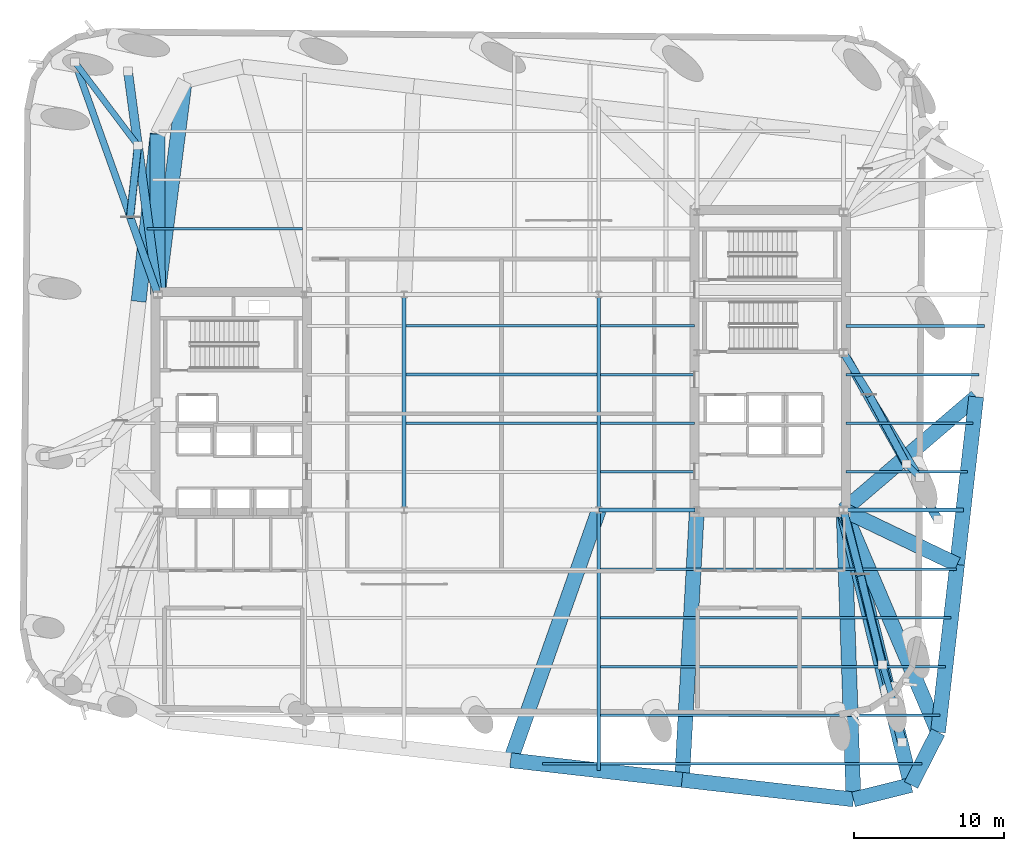
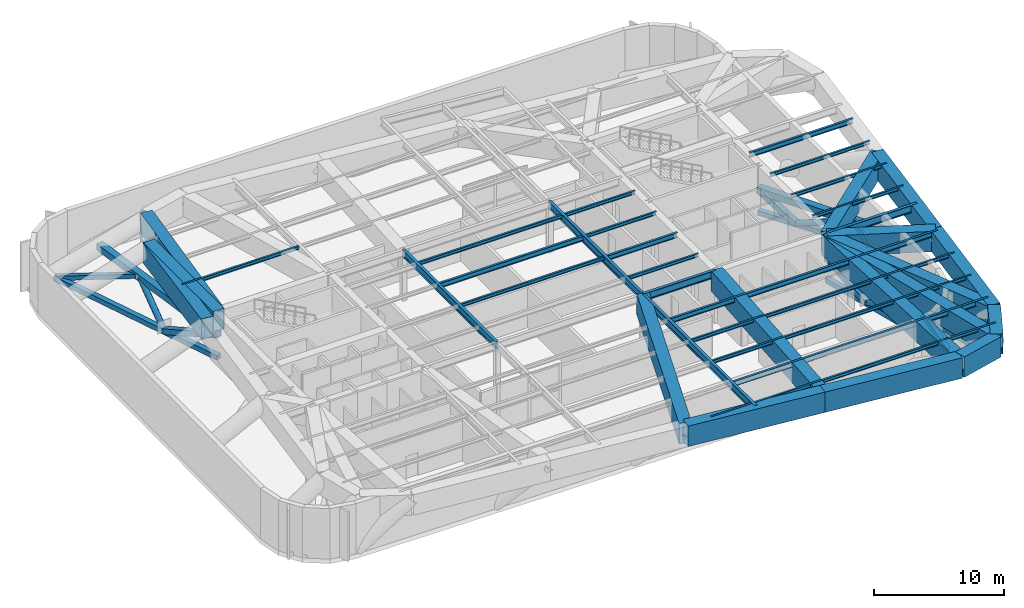
# One storey, part 4 of 13: 39 beams, 15 members.
"""IFC4 building model written with IfcOpenShell, lengths in metres."""

from ifc_helpers import new_model, si_unit, direction, frame, origin, origin_2d, place, context, subcontext, project, spatial, hollow_rectangle, hollow_circle, i_section, extrude, material, material_profile, profile_set, type_object, element, save


model = new_model("IFC4")

# Units and contexts
model_context = context("Model", 3, precision=1e-05, world=origin(), true_north=direction((0.0, 1.0)))
body_context = subcontext(model_context, "Body", "Model", "MODEL_VIEW")
ifc_project = project(units=[si_unit("LENGTHUNIT", "METRE"), si_unit("AREAUNIT", "SQUARE_METRE"), si_unit("VOLUMEUNIT", "CUBIC_METRE"), si_unit("PLANEANGLEUNIT", "RADIAN"), si_unit("MASSUNIT", "GRAM", prefix="KILO")], contexts=[model_context])

# Site, building, storey
site_placement = place(None, origin())
site = spatial("IfcSite", under=ifc_project, at=site_placement, CompositionType="ELEMENT")
building_placement = place(site_placement, origin())
building = spatial("IfcBuilding", under=site, at=building_placement, Name="Kolvaren Arena Tower", CompositionType="ELEMENT")
storey_placement = place(building_placement, frame((0.0, 0.0, 210.949951171875)))
storey = spatial("IfcBuildingStorey", under=building, at=storey_placement, Name="L51", CompositionType="ELEMENT", Elevation=210.949951171875)

# Beams
ifc_material_1 = material(Name="Steel CSA G40.21 350W", Category="steel")
ifc_material_profile_1 = material_profile(ifc_material_1, i_section(OverallWidth=0.193115234375, OverallDepth=0.462890625, WebThickness=0.0107421875, FlangeThickness=0.0205078125, FilletRadius=0.012939453125, at=origin_2d()), Name="W460x113")
ifc_profile_set_1 = profile_set([ifc_material_profile_1], Name="Steel CSA G40.21 350W")
beam_type_1 = type_object("IfcBeamType", Name="BEAM-F2", PredefinedType="BEAM", material=ifc_profile_set_1)
beam_1_placement = place(storey_placement, frame((44.12744140625, 5.75, 4.5185546875), z_axis=(1.0, 0.0, 0.0), x_axis=(0.0, 1.0, 0.0)))
element("IfcBeam", 1, at=beam_1_placement, inside=storey, type_object=beam_type_1, Name="Composite Floor Beam (L51)", PredefinedType="BEAM", context=body_context, shape_type="SweptSolid", body=[
    extrude(i_section(OverallWidth=0.193115234375, OverallDepth=0.462890625, WebThickness=0.0107421875, FlangeThickness=0.0205078125, FilletRadius=0.012939453125, at=origin_2d()), origin(), (0.0, 0.0, 1.0), 22.656982421875),
])
beam_2_placement = place(storey_placement, frame((44.12744140625, 15.5, 4.5185546875), z_axis=(1.0, 0.0, 0.0), x_axis=(0.0, 1.0, 0.0)))
element("IfcBeam", 2, at=beam_2_placement, inside=storey, type_object=beam_type_1, Name="Composite Floor Beam (L51)", PredefinedType="BEAM", context=body_context, shape_type="SweptSolid", body=[
    extrude(i_section(OverallWidth=0.193115234375, OverallDepth=0.462890625, WebThickness=0.0107421875, FlangeThickness=0.0205078125, FilletRadius=0.012939453125, at=origin_2d()), origin(), (0.0, 0.0, 1.0), 23.767822265625),
])
beam_3_placement = place(storey_placement, frame((44.12744140625, 25.25, 4.5185546875), z_axis=(1.0, 0.0, 0.0), x_axis=(0.0, 1.0, 0.0)))
element("IfcBeam", 3, at=beam_3_placement, inside=storey, type_object=beam_type_1, Name="Composite Floor Beam (L51)", PredefinedType="BEAM", context=body_context, shape_type="SweptSolid", body=[
    extrude(i_section(OverallWidth=0.193115234375, OverallDepth=0.462890625, WebThickness=0.0107421875, FlangeThickness=0.0205078125, FilletRadius=0.012939453125, at=origin_2d()), origin(), (0.0, 0.0, 1.0), 6.25244140625),
])
beam_4_placement = place(storey_placement, frame((31.12744140625, 28.5, 4.5185546875), z_axis=(1.0, 0.0, 0.0), x_axis=(0.0, 1.0, 0.0)))
element("IfcBeam", 4, at=beam_4_placement, inside=storey, type_object=beam_type_1, Name="Composite Floor Beam (L51)", PredefinedType="BEAM", context=body_context, shape_type="SweptSolid", body=[
    extrude(i_section(OverallWidth=0.193115234375, OverallDepth=0.462890625, WebThickness=0.0107421875, FlangeThickness=0.0205078125, FilletRadius=0.012939453125, at=origin_2d()), origin(), (0.0, 0.0, 1.0), 12.7451171875),
])
beam_5_placement = place(storey_placement, frame((60.52001953125, 31.75, 4.5185546875), z_axis=(1.0, 0.0, 0.0), x_axis=(0.0, 1.0, 0.0)))
element("IfcBeam", 5, at=beam_5_placement, inside=storey, type_object=beam_type_1, Name="Composite Floor Beam (L51)", PredefinedType="BEAM", context=body_context, shape_type="SweptSolid", body=[
    extrude(i_section(OverallWidth=0.193115234375, OverallDepth=0.462890625, WebThickness=0.0107421875, FlangeThickness=0.0205078125, FilletRadius=0.012939453125, at=origin_2d()), origin(), (0.0, 0.0, 1.0), 9.226806640625),
])

# Members
ifc_material_2 = material(Name="Steel CSA G40.21 350WT", Category="steel")
ifc_material_profile_2 = material_profile(ifc_material_2, hollow_rectangle(XDim=0.449951171875, YDim=0.449951171875, WallThickness=0.02001953125, at=origin_2d()), Name="HSS 450x450x20")
ifc_profile_set_2 = profile_set([ifc_material_profile_2], Name="Steel CSA G40.21 350WT")
member_type_1 = type_object("IfcMemberType", Name="BELT-CHORD", PredefinedType="CHORD", material=ifc_profile_set_2)
member_1_placement = place(storey_placement, frame((14.550048828125, 33.85009765625, 0.35009765625), z_axis=(-0.336115032006, 0.941820941188, 0.0), x_axis=(-0.941820941188, -0.336115032006, 0.0)))
element("IfcMember", 6, at=member_1_placement, inside=storey, type_object=member_type_1, Name="Belt Truss Bottom Chord 2 (L51)", PredefinedType="CHORD", context=body_context, shape_type="SweptSolid", body=[
    extrude(hollow_rectangle(XDim=0.449951171875, YDim=0.449951171875, WallThickness=0.02001953125, at=origin_2d()), origin(), (0.0, 0.0, 1.0), 16.489013671875),
])
member_2_placement = place(storey_placement, frame((60.35009765625, 19.449951171875, 0.35009765625), z_axis=(0.251492984423, -0.967859121353, 0.0), x_axis=(0.967859121353, 0.251492984423, 0.0)))
element("IfcMember", 7, at=member_2_placement, inside=storey, type_object=member_type_1, Name="Belt Truss Bottom Chord 3 (L51)", PredefinedType="CHORD", context=body_context, shape_type="SweptSolid", body=[
    extrude(hollow_rectangle(XDim=0.449951171875, YDim=0.449951171875, WallThickness=0.02001953125, at=origin_2d()), origin(), (0.0, 0.0, 1.0), 13.2470703125),
])
member_3_placement = place(storey_placement, frame((60.35009765625, 29.949951171875, 0.35009765625), z_axis=(0.522048954616, -0.852915522771, 0.0), x_axis=(0.852915522771, 0.522048954616, 0.0)))
element("IfcMember", 8, at=member_3_placement, inside=storey, type_object=member_type_1, Name="Belt Truss Bottom Chord 6 (L51)", PredefinedType="CHORD", context=body_context, shape_type="SweptSolid", body=[
    extrude(hollow_rectangle(XDim=0.449951171875, YDim=0.449951171875, WallThickness=0.02001953125, at=origin_2d()), origin(), (0.0, 0.0, 1.0), 9.7421875),
])
ifc_material_profile_3 = material_profile(ifc_material_2, hollow_rectangle(XDim=0.39990234375, YDim=0.39990234375, WallThickness=0.01611328125, at=origin_2d()), Name="HSS 400x400x16")
ifc_profile_set_3 = profile_set([ifc_material_profile_3], Name="Steel CSA G40.21 350WT")
member_type_2 = type_object("IfcMemberType", Name="BELT-DIAG", PredefinedType="BRACE", material=ifc_profile_set_3)
member_4_placement = place(storey_placement, frame((13.223388671875, 43.7919921875, 2.47998046875), z_axis=(-0.576169396156, 0.763732271918, -0.291104523777), x_axis=(-0.798305899014, -0.602252182728, 0.0)))
element("IfcMember", 9, at=member_4_placement, inside=storey, type_object=member_type_2, Name="Belt Truss Warren Diagonal C 2 (L51)", PredefinedType="BRACE", context=body_context, shape_type="SweptSolid", body=[
    extrude(hollow_rectangle(XDim=0.39990234375, YDim=0.39990234375, WallThickness=0.01611328125, at=origin_2d()), origin(), (0.0, 0.0, 1.0), 7.316650390625),
])
member_5_placement = place(storey_placement, frame((62.949462890625, 9.116455078125, 2.47998046875), z_axis=(0.21818078023, -0.741334495013, -0.634681269332), x_axis=(0.959316016839, 0.282334517615, 0.0)))
element("IfcMember", 10, at=member_5_placement, inside=storey, type_object=member_type_2, Name="Belt Truss Warren Diagonal C 3 (L51)", PredefinedType="BRACE", context=body_context, shape_type="SweptSolid", body=[
    extrude(hollow_rectangle(XDim=0.39990234375, YDim=0.39990234375, WallThickness=0.01611328125, at=origin_2d()), origin(), (0.0, 0.0, 1.0), 3.355712890625),
])
member_6_placement = place(storey_placement, frame((64.5458984375, 22.53076171875, 2.47998046875), z_axis=(0.359784476189, -0.359784476189, -0.860877611155), x_axis=(0.707106781187, 0.707106781187, 0.0)))
element("IfcMember", 11, at=member_6_placement, inside=storey, type_object=member_type_2, Name="Belt Truss Warren Diagonal C 6 (L51)", PredefinedType="BRACE", context=body_context, shape_type="SweptSolid", body=[
    extrude(hollow_rectangle(XDim=0.39990234375, YDim=0.39990234375, WallThickness=0.01611328125, at=origin_2d()), origin(), (0.0, 0.0, 1.0), 2.47412109375),
])
ifc_material_profile_4 = material_profile(ifc_material_2, hollow_circle(Radius=0.25390625, WallThickness=0.02490234375, at=origin_2d()), Name="CHS 508x25")
ifc_profile_set_4 = profile_set([ifc_material_profile_4], Name="Steel CSA G40.21 350WT")
member_type_3 = type_object("IfcMemberType", Name="EXO-BRACE1", PredefinedType="BRACE", material=ifc_profile_set_4)
member_7_placement = place(storey_placement, frame((12.70263671875, 39.026611328125, 0.35009765625), z_axis=(0.099273835079, 0.908451001827, 0.406031381728), x_axis=(-0.994082094153, 0.10863144151, 0.0)))
element("IfcMember", 12, at=member_7_placement, inside=storey, type_object=member_type_3, Name="Outrigger Warren Diagonal B 2 (L51)", PredefinedType="BRACE", context=body_context, shape_type="SweptSolid", body=[
    extrude(hollow_circle(Radius=0.25390625, WallThickness=0.02490234375, at=origin_2d()), origin(), (0.0, 0.0, 1.0), 5.24560546875),
])
member_8_placement = place(storey_placement, frame((61.46044921875, 15.17626953125, 0.35009765625), z_axis=(0.225828796995, -0.919051741304, 0.323025155761), x_axis=(0.97111272691, 0.238621188567, 0.0)))
element("IfcMember", 13, at=member_8_placement, inside=storey, type_object=member_type_3, Name="Outrigger Warren Diagonal B 3 (L51)", PredefinedType="BRACE", context=body_context, shape_type="SweptSolid", body=[
    extrude(hollow_circle(Radius=0.25390625, WallThickness=0.02490234375, at=origin_2d()), origin(), (0.0, 0.0, 1.0), 6.593505859375),
])
member_9_placement = place(storey_placement, frame((62.04541015625, 27.18017578125, 0.35009765625), z_axis=(0.439251064754, -0.816744510562, 0.374148241448), x_axis=(0.880711551375, 0.473652998802, 0.0)))
element("IfcMember", 14, at=member_9_placement, inside=storey, type_object=member_type_3, Name="Outrigger Warren Diagonal B 6 (L51)", PredefinedType="BRACE", context=body_context, shape_type="SweptSolid", body=[
    extrude(hollow_circle(Radius=0.25390625, WallThickness=0.02490234375, at=origin_2d()), origin(), (0.0, 0.0, 1.0), 5.692626953125),
])

# Beams
ifc_material_profile_5 = material_profile(ifc_material_1, i_section(OverallWidth=0.2548828125, OverallDepth=0.695068359375, WebThickness=0.01708984375, FlangeThickness=0.02978515625, FilletRadius=0.01611328125, at=origin_2d()), Name="W690x217")
ifc_profile_set_5 = profile_set([ifc_material_profile_5], Name="Steel CSA G40.21 350W")
beam_type_2 = type_object("IfcBeamType", Name="GIRD-T2", PredefinedType="BEAM", material=ifc_profile_set_5)
beam_6_placement = place(storey_placement, frame((44.0, 19.449951171875, 4.402587890625), z_axis=(1.0, 0.0, 0.0), x_axis=(0.0, 1.0, 0.0)))
element("IfcBeam", 15, at=beam_6_placement, inside=storey, type_object=beam_type_2, Name="Primary Floor Girder (L51)", PredefinedType="BEAM", context=body_context, shape_type="SweptSolid", body=[
    extrude(i_section(OverallWidth=0.2548828125, OverallDepth=0.695068359375, WebThickness=0.01708984375, FlangeThickness=0.02978515625, FilletRadius=0.01611328125, at=origin_2d()), origin(), (0.0, 0.0, 1.0), 6.419921875),
])
beam_7_placement = place(storey_placement, frame((60.47998046875, 19.449951171875, 4.402587890625), z_axis=(1.0, 0.0, 0.0), x_axis=(0.0, 1.0, 0.0)))
element("IfcBeam", 16, at=beam_7_placement, inside=storey, type_object=beam_type_2, Name="Primary Floor Girder (L51)", PredefinedType="BEAM", context=body_context, shape_type="SweptSolid", body=[
    extrude(i_section(OverallWidth=0.2548828125, OverallDepth=0.695068359375, WebThickness=0.01708984375, FlangeThickness=0.02978515625, FilletRadius=0.01611328125, at=origin_2d()), origin(), (0.0, 0.0, 1.0), 7.865234375),
])
beam_8_placement = place(storey_placement, frame((31.0, 19.449951171875, 4.402587890625), z_axis=(0.0, 1.0, 0.0), x_axis=(-1.0, 0.0, 0.0)))
element("IfcBeam", 17, at=beam_8_placement, inside=storey, type_object=beam_type_2, Name="Primary Floor Girder (L51)", PredefinedType="BEAM", context=body_context, shape_type="SweptSolid", body=[
    extrude(i_section(OverallWidth=0.2548828125, OverallDepth=0.695068359375, WebThickness=0.01708984375, FlangeThickness=0.02978515625, FilletRadius=0.01611328125, at=origin_2d()), origin(), (0.0, 0.0, 1.0), 14.400146484375),
])
beam_9_placement = place(storey_placement, frame((44.0, 2.0703125, 4.402587890625), z_axis=(0.0, 1.0, 0.0), x_axis=(-1.0, 0.0, 0.0)))
element("IfcBeam", 18, at=beam_9_placement, inside=storey, type_object=beam_type_2, Name="Primary Floor Girder (L51)", PredefinedType="BEAM", context=body_context, shape_type="SweptSolid", body=[
    extrude(i_section(OverallWidth=0.2548828125, OverallDepth=0.695068359375, WebThickness=0.01708984375, FlangeThickness=0.02978515625, FilletRadius=0.01611328125, at=origin_2d()), origin(), (0.0, 0.0, 1.0), 17.379638671875),
])
beam_10_placement = place(storey_placement, frame((44.0, 19.449951171875, 4.402587890625), z_axis=(0.0, 1.0, 0.0), x_axis=(-1.0, 0.0, 0.0)))
element("IfcBeam", 19, at=beam_10_placement, inside=storey, type_object=beam_type_2, Name="Primary Floor Girder (L51)", PredefinedType="BEAM", context=body_context, shape_type="SweptSolid", body=[
    extrude(i_section(OverallWidth=0.2548828125, OverallDepth=0.695068359375, WebThickness=0.01708984375, FlangeThickness=0.02978515625, FilletRadius=0.01611328125, at=origin_2d()), origin(), (0.0, 0.0, 1.0), 14.400146484375),
])
ifc_material_profile_6 = material_profile(ifc_material_1, i_section(OverallWidth=0.1669921875, OverallDepth=0.31689453125, WebThickness=0.007568359375, FlangeThickness=0.01318359375, FilletRadius=0.010009765625, at=origin_2d()), Name="W310x52")
ifc_profile_set_6 = profile_set([ifc_material_profile_6], Name="Steel CSA G40.21 350W")
beam_type_3 = type_object("IfcBeamType", Name="JOIST-02", PredefinedType="JOIST", material=ifc_profile_set_6)
beam_11_placement = place(storey_placement, frame((40.228271484375, 2.5, 4.591552734375), z_axis=(1.0, 0.0, 0.0), x_axis=(0.0, 1.0, 0.0)))
element("IfcBeam", 20, at=beam_11_placement, inside=storey, type_object=beam_type_3, Name="Composite Floor Joist (L51)", PredefinedType="JOIST", context=body_context, shape_type="SweptSolid", body=[
    extrude(i_section(OverallWidth=0.1669921875, OverallDepth=0.31689453125, WebThickness=0.007568359375, FlangeThickness=0.01318359375, FilletRadius=0.010009765625, at=origin_2d()), origin(), (0.0, 0.0, 1.0), 3.644287109375),
])
beam_12_placement = place(storey_placement, frame((44.12744140625, 2.5, 4.591552734375), z_axis=(1.0, 0.0, 0.0), x_axis=(0.0, 1.0, 0.0)))
element("IfcBeam", 21, at=beam_12_placement, inside=storey, type_object=beam_type_3, Name="Composite Floor Joist (L51)", PredefinedType="JOIST", context=body_context, shape_type="SweptSolid", body=[
    extrude(i_section(OverallWidth=0.1669921875, OverallDepth=0.31689453125, WebThickness=0.007568359375, FlangeThickness=0.01318359375, FilletRadius=0.010009765625, at=origin_2d()), origin(), (0.0, 0.0, 1.0), 21.4443359375),
])
beam_13_placement = place(storey_placement, frame((44.12744140625, 9.0, 4.591552734375), z_axis=(1.0, 0.0, 0.0), x_axis=(0.0, 1.0, 0.0)))
element("IfcBeam", 22, at=beam_13_placement, inside=storey, type_object=beam_type_3, Name="Composite Floor Joist (L51)", PredefinedType="JOIST", context=body_context, shape_type="SweptSolid", body=[
    extrude(i_section(OverallWidth=0.1669921875, OverallDepth=0.31689453125, WebThickness=0.007568359375, FlangeThickness=0.01318359375, FilletRadius=0.010009765625, at=origin_2d()), origin(), (0.0, 0.0, 1.0), 23.02734375),
])
beam_14_placement = place(storey_placement, frame((44.12744140625, 12.25, 4.591552734375), z_axis=(1.0, 0.0, 0.0), x_axis=(0.0, 1.0, 0.0)))
element("IfcBeam", 23, at=beam_14_placement, inside=storey, type_object=beam_type_3, Name="Composite Floor Joist (L51)", PredefinedType="JOIST", context=body_context, shape_type="SweptSolid", body=[
    extrude(i_section(OverallWidth=0.1669921875, OverallDepth=0.31689453125, WebThickness=0.007568359375, FlangeThickness=0.01318359375, FilletRadius=0.010009765625, at=origin_2d()), origin(), (0.0, 0.0, 1.0), 23.3974609375),
])
beam_15_placement = place(storey_placement, frame((44.12744140625, 22.0, 4.591552734375), z_axis=(1.0, 0.0, 0.0), x_axis=(0.0, 1.0, 0.0)))
element("IfcBeam", 24, at=beam_15_placement, inside=storey, type_object=beam_type_3, Name="Composite Floor Joist (L51)", PredefinedType="JOIST", context=body_context, shape_type="SweptSolid", body=[
    extrude(i_section(OverallWidth=0.1669921875, OverallDepth=0.31689453125, WebThickness=0.007568359375, FlangeThickness=0.01318359375, FilletRadius=0.010009765625, at=origin_2d()), origin(), (0.0, 0.0, 1.0), 6.25244140625),
])
beam_16_placement = place(storey_placement, frame((60.52001953125, 22.0, 4.591552734375), z_axis=(1.0, 0.0, 0.0), x_axis=(0.0, 1.0, 0.0)))
element("IfcBeam", 25, at=beam_16_placement, inside=storey, type_object=beam_type_3, Name="Composite Floor Joist (L51)", PredefinedType="JOIST", context=body_context, shape_type="SweptSolid", body=[
    extrude(i_section(OverallWidth=0.1669921875, OverallDepth=0.31689453125, WebThickness=0.007568359375, FlangeThickness=0.01318359375, FilletRadius=0.010009765625, at=origin_2d()), origin(), (0.0, 0.0, 1.0), 8.115966796875),
])
beam_17_placement = place(storey_placement, frame((31.12744140625, 25.25, 4.591552734375), z_axis=(1.0, 0.0, 0.0), x_axis=(0.0, 1.0, 0.0)))
element("IfcBeam", 26, at=beam_17_placement, inside=storey, type_object=beam_type_3, Name="Composite Floor Joist (L51)", PredefinedType="JOIST", context=body_context, shape_type="SweptSolid", body=[
    extrude(i_section(OverallWidth=0.1669921875, OverallDepth=0.31689453125, WebThickness=0.007568359375, FlangeThickness=0.01318359375, FilletRadius=0.010009765625, at=origin_2d()), origin(), (0.0, 0.0, 1.0), 12.7451171875),
])
beam_18_placement = place(storey_placement, frame((60.52001953125, 25.25, 4.591552734375), z_axis=(1.0, 0.0, 0.0), x_axis=(0.0, 1.0, 0.0)))
element("IfcBeam", 27, at=beam_18_placement, inside=storey, type_object=beam_type_3, Name="Composite Floor Joist (L51)", PredefinedType="JOIST", context=body_context, shape_type="SweptSolid", body=[
    extrude(i_section(OverallWidth=0.1669921875, OverallDepth=0.31689453125, WebThickness=0.007568359375, FlangeThickness=0.01318359375, FilletRadius=0.010009765625, at=origin_2d()), origin(), (0.0, 0.0, 1.0), 8.486083984375),
])
beam_19_placement = place(storey_placement, frame((44.12744140625, 28.5, 4.591552734375), z_axis=(1.0, 0.0, 0.0), x_axis=(0.0, 1.0, 0.0)))
element("IfcBeam", 28, at=beam_19_placement, inside=storey, type_object=beam_type_3, Name="Composite Floor Joist (L51)", PredefinedType="JOIST", context=body_context, shape_type="SweptSolid", body=[
    extrude(i_section(OverallWidth=0.1669921875, OverallDepth=0.31689453125, WebThickness=0.007568359375, FlangeThickness=0.01318359375, FilletRadius=0.010009765625, at=origin_2d()), origin(), (0.0, 0.0, 1.0), 6.25244140625),
])
beam_20_placement = place(storey_placement, frame((60.52001953125, 28.5, 4.591552734375), z_axis=(1.0, 0.0, 0.0), x_axis=(0.0, 1.0, 0.0)))
element("IfcBeam", 29, at=beam_20_placement, inside=storey, type_object=beam_type_3, Name="Composite Floor Joist (L51)", PredefinedType="JOIST", context=body_context, shape_type="SweptSolid", body=[
    extrude(i_section(OverallWidth=0.1669921875, OverallDepth=0.31689453125, WebThickness=0.007568359375, FlangeThickness=0.01318359375, FilletRadius=0.010009765625, at=origin_2d()), origin(), (0.0, 0.0, 1.0), 8.8564453125),
])
beam_21_placement = place(storey_placement, frame((31.12744140625, 31.75, 4.591552734375), z_axis=(1.0, 0.0, 0.0), x_axis=(0.0, 1.0, 0.0)))
element("IfcBeam", 30, at=beam_21_placement, inside=storey, type_object=beam_type_3, Name="Composite Floor Joist (L51)", PredefinedType="JOIST", context=body_context, shape_type="SweptSolid", body=[
    extrude(i_section(OverallWidth=0.1669921875, OverallDepth=0.31689453125, WebThickness=0.007568359375, FlangeThickness=0.01318359375, FilletRadius=0.010009765625, at=origin_2d()), origin(), (0.0, 0.0, 1.0), 12.7451171875),
])
beam_22_placement = place(storey_placement, frame((44.12744140625, 31.75, 4.591552734375), z_axis=(1.0, 0.0, 0.0), x_axis=(0.0, 1.0, 0.0)))
element("IfcBeam", 31, at=beam_22_placement, inside=storey, type_object=beam_type_3, Name="Composite Floor Joist (L51)", PredefinedType="JOIST", context=body_context, shape_type="SweptSolid", body=[
    extrude(i_section(OverallWidth=0.1669921875, OverallDepth=0.31689453125, WebThickness=0.007568359375, FlangeThickness=0.01318359375, FilletRadius=0.010009765625, at=origin_2d()), origin(), (0.0, 0.0, 1.0), 6.25244140625),
])
beam_23_placement = place(storey_placement, frame((13.822998046875, 38.25, 4.591552734375), z_axis=(1.0, 0.0, 0.0), x_axis=(0.0, 1.0, 0.0)))
element("IfcBeam", 32, at=beam_23_placement, inside=storey, type_object=beam_type_3, Name="Composite Floor Joist (L51)", PredefinedType="JOIST", context=body_context, shape_type="SweptSolid", body=[
    extrude(i_section(OverallWidth=0.1669921875, OverallDepth=0.31689453125, WebThickness=0.007568359375, FlangeThickness=0.01318359375, FilletRadius=0.010009765625, at=origin_2d()), origin(), (0.0, 0.0, 1.0), 10.3994140625),
])

# Members
ifc_material_profile_7 = material_profile(ifc_material_2, hollow_rectangle(XDim=0.60009765625, YDim=0.60009765625, WallThickness=0.02490234375, at=origin_2d()), Name="HSS 600x600x25")
ifc_profile_set_7 = profile_set([ifc_material_profile_7], Name="Steel CSA G40.21 350WT")
member_type_4 = type_object("IfcMemberType", Name="OUT-CHORD", PredefinedType="CHORD", material=ifc_profile_set_7)
member_10_placement = place(storey_placement, frame((14.550048828125, 33.85009765625, 2.47998046875), z_axis=(-0.13225300548, 0.991215991871, 0.0), x_axis=(-0.991215991871, -0.13225300548, 0.0)))
element("IfcMember", 33, at=member_10_placement, inside=storey, type_object=member_type_4, Name="Outrigger Top Chord 2 (L51)", PredefinedType="CHORD", context=body_context, shape_type="SweptSolid", body=[
    extrude(hollow_rectangle(XDim=0.60009765625, YDim=0.60009765625, WallThickness=0.02490234375, at=origin_2d()), origin(), (0.0, 0.0, 1.0), 15.044921875),
])
member_11_placement = place(storey_placement, frame((60.35009765625, 19.449951171875, 2.47998046875), z_axis=(0.243940664328, -0.969790158894, 0.0), x_axis=(0.969790158894, 0.243940664328, 0.0)))
element("IfcMember", 34, at=member_11_placement, inside=storey, type_object=member_type_4, Name="Outrigger Top Chord 3 (L51)", PredefinedType="CHORD", context=body_context, shape_type="SweptSolid", body=[
    extrude(hollow_rectangle(XDim=0.60009765625, YDim=0.60009765625, WallThickness=0.02490234375, at=origin_2d()), origin(), (0.0, 0.0, 1.0), 15.983154296875),
])
member_12_placement = place(storey_placement, frame((60.35009765625, 29.949951171875, 2.47998046875), z_axis=(0.49226173955, -0.870447229747, 0.0), x_axis=(0.870447229747, 0.49226173955, 0.0)))
element("IfcMember", 35, at=member_12_placement, inside=storey, type_object=member_type_4, Name="Outrigger Top Chord 6 (L51)", PredefinedType="CHORD", context=body_context, shape_type="SweptSolid", body=[
    extrude(hollow_rectangle(XDim=0.60009765625, YDim=0.60009765625, WallThickness=0.02490234375, at=origin_2d()), origin(), (0.0, 0.0, 1.0), 12.78515625),
])
ifc_material_profile_8 = material_profile(ifc_material_2, hollow_rectangle(XDim=0.5, YDim=0.5, WallThickness=0.02197265625, at=origin_2d()), Name="HSS 500x500x22")
ifc_profile_set_8 = profile_set([ifc_material_profile_8], Name="Steel CSA G40.21 350WT")
member_type_5 = type_object("IfcMemberType", Name="OUT-DIAG", PredefinedType="BRACE", material=ifc_profile_set_8)
member_13_placement = place(storey_placement, frame((14.550048828125, 33.85009765625, 2.47998046875), z_axis=(-0.313410624728, 0.878187587699, -0.361331345332), x_axis=(-0.94181926845, -0.336119719113, 0.0)))
element("IfcMember", 36, at=member_13_placement, inside=storey, type_object=member_type_5, Name="Outrigger Warren Diagonal A 2 (L51)", PredefinedType="BRACE", context=body_context, shape_type="SweptSolid", body=[
    extrude(hollow_rectangle(XDim=0.5, YDim=0.5, WallThickness=0.02197265625, at=origin_2d()), origin(), (0.0, 0.0, 1.0), 5.89453125),
])
member_14_placement = place(storey_placement, frame((60.35009765625, 19.449951171875, 2.47998046875), z_axis=(0.226490904951, -0.871750943527, -0.434456168599), x_axis=(0.967866927422, 0.251462941212, 0.0)))
element("IfcMember", 37, at=member_14_placement, inside=storey, type_object=member_type_5, Name="Outrigger Warren Diagonal A 3 (L51)", PredefinedType="BRACE", context=body_context, shape_type="SweptSolid", body=[
    extrude(hollow_rectangle(XDim=0.5, YDim=0.5, WallThickness=0.02197265625, at=origin_2d()), origin(), (0.0, 0.0, 1.0), 4.90234375),
])
member_15_placement = place(storey_placement, frame((60.35009765625, 29.949951171875, 2.47998046875), z_axis=(0.43653419221, -0.71320282411, -0.548433797932), x_axis=(0.852915522771, 0.522048954616, 0.0)))
element("IfcMember", 38, at=member_15_placement, inside=storey, type_object=member_type_5, Name="Outrigger Warren Diagonal A 6 (L51)", PredefinedType="BRACE", context=body_context, shape_type="SweptSolid", body=[
    extrude(hollow_rectangle(XDim=0.5, YDim=0.5, WallThickness=0.02197265625, at=origin_2d()), origin(), (0.0, 0.0, 1.0), 3.883544921875),
])

# Beams
ifc_material_profile_9 = material_profile(ifc_material_2, hollow_rectangle(XDim=1.0, YDim=1.919921875, WallThickness=0.044921875, at=origin_2d()), Name="BOX 1000x1920x45")
ifc_profile_set_9 = profile_set([ifc_material_profile_9], Name="Steel CSA G40.21 350WT")
beam_type_4 = type_object("IfcBeamType", Name="TG-MEGA", PredefinedType="USERDEFINED", material=ifc_profile_set_9)
beam_24_placement = place(storey_placement, frame((38.109619140625, 2.741455078125, 3.7900390625), z_axis=(0.993571397957, -0.113207231049, 0.0), x_axis=(0.113207231049, 0.993571397957, 0.0)))
element("IfcBeam", 39, at=beam_24_placement, inside=storey, type_object=beam_type_4, Name="Perimeter Transfer Ring Girder 03 (L51)", ObjectType="TRANSFER GIRDER", PredefinedType="USERDEFINED", context=body_context, shape_type="SweptSolid", body=[
    extrude(hollow_rectangle(XDim=1.0, YDim=1.919921875, WallThickness=0.044921875, at=origin_2d()), origin(), (0.0, 0.0, 1.0), 11.524658203125),
])
beam_25_placement = place(storey_placement, frame((38.109619140625, 2.741455078125, 3.7900390625), z_axis=(0.332482028977, 0.943109590879, 0.0), x_axis=(-0.943109590879, 0.332482028977, 0.0)))
element("IfcBeam", 40, at=beam_25_placement, inside=storey, type_object=beam_type_4, Name="Cantilever Block Transfer Girder 03 (L51)", ObjectType="TRANSFER GIRDER", PredefinedType="USERDEFINED", context=body_context, shape_type="SweptSolid", body=[
    extrude(hollow_rectangle(XDim=1.0, YDim=1.919921875, WallThickness=0.044921875, at=origin_2d()), origin(), (0.0, 0.0, 1.0), 17.71630859375),
])
beam_26_placement = place(storey_placement, frame((49.560302734375, 1.436767578125, 3.7900390625), z_axis=(0.993571940905, -0.113202465721, 0.0), x_axis=(0.113202465721, 0.993571940905, 0.0)))
element("IfcBeam", 41, at=beam_26_placement, inside=storey, type_object=beam_type_4, Name="Perimeter Transfer Ring Girder 04 (L51)", ObjectType="TRANSFER GIRDER", PredefinedType="USERDEFINED", context=body_context, shape_type="SweptSolid", body=[
    extrude(hollow_rectangle(XDim=1.0, YDim=1.919921875, WallThickness=0.044921875, at=origin_2d()), origin(), (0.0, 0.0, 1.0), 11.525146484375),
])
beam_27_placement = place(storey_placement, frame((49.560302734375, 1.436767578125, 3.7900390625), z_axis=(0.054862896897, 0.998493897099, 0.0), x_axis=(-0.998493897099, 0.054862896897, 0.0)))
element("IfcBeam", 42, at=beam_27_placement, inside=storey, type_object=beam_type_4, Name="Cantilever Block Transfer Girder 04 (L51)", ObjectType="TRANSFER GIRDER", PredefinedType="USERDEFINED", context=body_context, shape_type="SweptSolid", body=[
    extrude(hollow_rectangle(XDim=1.0, YDim=1.919921875, WallThickness=0.044921875, at=origin_2d()), origin(), (0.0, 0.0, 1.0), 18.040283203125),
])
beam_28_placement = place(storey_placement, frame((61.011474609375, 0.132080078125, 3.7900390625), z_axis=(0.970033632471, 0.242970681103, 0.0), x_axis=(-0.242970681103, 0.970033632471, 0.0)))
element("IfcBeam", 43, at=beam_28_placement, inside=storey, type_object=beam_type_4, Name="Perimeter Transfer Ring Girder 05 (L51)", ObjectType="TRANSFER GIRDER", PredefinedType="USERDEFINED", context=body_context, shape_type="SweptSolid", body=[
    extrude(hollow_rectangle(XDim=1.0, YDim=1.919921875, WallThickness=0.044921875, at=origin_2d()), origin(), (0.0, 0.0, 1.0), 3.9609375),
])
beam_29_placement = place(storey_placement, frame((61.011474609375, 0.132080078125, 3.7900390625), z_axis=(-0.034216486747, 0.99941444458, 0.0), x_axis=(-0.99941444458, -0.034216486747, 0.0)))
element("IfcBeam", 44, at=beam_29_placement, inside=storey, type_object=beam_type_4, Name="Cantilever Block Transfer Girder 05 (L51)", ObjectType="TRANSFER GIRDER", PredefinedType="USERDEFINED", context=body_context, shape_type="SweptSolid", body=[
    extrude(hollow_rectangle(XDim=1.0, YDim=1.919921875, WallThickness=0.044921875, at=origin_2d()), origin(), (0.0, 0.0, 1.0), 19.3291015625),
])
beam_30_placement = place(storey_placement, frame((64.853759765625, 1.094482421875, 3.7900390625), z_axis=(0.454962284061, 0.89051070745, 0.0), x_axis=(-0.89051070745, 0.454962284061, 0.0)))
element("IfcBeam", 45, at=beam_30_placement, inside=storey, type_object=beam_type_4, Name="Perimeter Transfer Ring Girder 06 (L51)", ObjectType="TRANSFER GIRDER", PredefinedType="USERDEFINED", context=body_context, shape_type="SweptSolid", body=[
    extrude(hollow_rectangle(XDim=1.0, YDim=1.919921875, WallThickness=0.044921875, at=origin_2d()), origin(), (0.0, 0.0, 1.0), 3.96142578125),
])
beam_31_placement = place(storey_placement, frame((64.853759765625, 1.094482421875, 3.7900390625), z_axis=(-0.238290266155, 0.971193981167, 0.0), x_axis=(-0.971193981167, -0.238290266155, 0.0)))
element("IfcBeam", 46, at=beam_31_placement, inside=storey, type_object=beam_type_4, Name="Cantilever Block Transfer Girder 06 (L51)", ObjectType="TRANSFER GIRDER", PredefinedType="USERDEFINED", context=body_context, shape_type="SweptSolid", body=[
    extrude(hollow_rectangle(XDim=1.0, YDim=1.919921875, WallThickness=0.044921875, at=origin_2d()), origin(), (0.0, 0.0, 1.0), 18.89990234375),
])
beam_32_placement = place(storey_placement, frame((66.656005859375, 4.6220703125, 3.7900390625), z_axis=(0.113201896536, 0.993572005755, 0.0), x_axis=(-0.993572005755, 0.113201896536, 0.0)))
element("IfcBeam", 47, at=beam_32_placement, inside=storey, type_object=beam_type_4, Name="Perimeter Transfer Ring Girder 07 (L51)", ObjectType="TRANSFER GIRDER", PredefinedType="USERDEFINED", context=body_context, shape_type="SweptSolid", body=[
    extrude(hollow_rectangle(XDim=1.0, YDim=1.919921875, WallThickness=0.044921875, at=origin_2d()), origin(), (0.0, 0.0, 1.0), 11.2666015625),
])
beam_33_placement = place(storey_placement, frame((66.656005859375, 4.6220703125, 3.7900390625), z_axis=(-0.391353989268, 0.920240215967, 0.0), x_axis=(-0.920240215967, -0.391353989268, 0.0)))
element("IfcBeam", 48, at=beam_33_placement, inside=storey, type_object=beam_type_4, Name="Cantilever Block Transfer Girder 07 (L51)", ObjectType="TRANSFER GIRDER", PredefinedType="USERDEFINED", context=body_context, shape_type="SweptSolid", body=[
    extrude(hollow_rectangle(XDim=1.0, YDim=1.919921875, WallThickness=0.044921875, at=origin_2d()), origin(), (0.0, 0.0, 1.0), 16.113037109375),
])
beam_34_placement = place(storey_placement, frame((67.931396484375, 15.816162109375, 3.7900390625), z_axis=(0.113199459318, 0.993572283435, 0.0), x_axis=(-0.993572283435, 0.113199459318, 0.0)))
element("IfcBeam", 49, at=beam_34_placement, inside=storey, type_object=beam_type_4, Name="Perimeter Transfer Ring Girder 08 (L51)", ObjectType="TRANSFER GIRDER", PredefinedType="USERDEFINED", context=body_context, shape_type="SweptSolid", body=[
    extrude(hollow_rectangle(XDim=1.0, YDim=1.919921875, WallThickness=0.044921875, at=origin_2d()), origin(), (0.0, 0.0, 1.0), 11.266845703125),
])
beam_35_placement = place(storey_placement, frame((67.931396484375, 15.816162109375, 3.7900390625), z_axis=(-0.9017658056, 0.432224978281, 0.0), x_axis=(-0.432224978281, -0.9017658056, 0.0)))
element("IfcBeam", 50, at=beam_35_placement, inside=storey, type_object=beam_type_4, Name="Cantilever Block Transfer Girder 08 (L51)", ObjectType="TRANSFER GIRDER", PredefinedType="USERDEFINED", context=body_context, shape_type="SweptSolid", body=[
    extrude(hollow_rectangle(XDim=1.0, YDim=1.919921875, WallThickness=0.044921875, at=origin_2d()), origin(), (0.0, 0.0, 1.0), 8.4072265625),
])
beam_36_placement = place(storey_placement, frame((69.206787109375, 27.010498046875, 3.7900390625), z_axis=(-0.760566269767, -0.649260309346, 0.0), x_axis=(0.649260309346, -0.760566269767, 0.0)))
element("IfcBeam", 51, at=beam_36_placement, inside=storey, type_object=beam_type_4, Name="Cantilever Block Transfer Girder 09 (L51)", ObjectType="TRANSFER GIRDER", PredefinedType="USERDEFINED", context=body_context, shape_type="SweptSolid", body=[
    extrude(hollow_rectangle(XDim=1.0, YDim=1.919921875, WallThickness=0.044921875, at=origin_2d()), origin(), (0.0, 0.0, 1.0), 11.644775390625),
])
beam_37_placement = place(storey_placement, frame((16.34619140625, 48.10546875, 3.7900390625), z_axis=(-0.125009224151, -0.992155579472, 0.0), x_axis=(0.992155579472, -0.125009224151, 0.0)))
element("IfcBeam", 52, at=beam_37_placement, inside=storey, type_object=beam_type_4, Name="Cantilever Block Transfer Girder 17 (L51)", ObjectType="TRANSFER GIRDER", PredefinedType="USERDEFINED", context=body_context, shape_type="SweptSolid", body=[
    extrude(hollow_rectangle(XDim=1.0, YDim=1.919921875, WallThickness=0.044921875, at=origin_2d()), origin(), (0.0, 0.0, 1.0), 14.3681640625),
])
beam_38_placement = place(storey_placement, frame((14.544189453125, 44.577880859375, 3.7900390625), z_axis=(-0.113201896536, -0.993572005755, 0.0), x_axis=(0.993572005755, -0.113201896536, 0.0)))
element("IfcBeam", 53, at=beam_38_placement, inside=storey, type_object=beam_type_4, Name="Perimeter Transfer Ring Girder 18 (L51)", ObjectType="TRANSFER GIRDER", PredefinedType="USERDEFINED", context=body_context, shape_type="SweptSolid", body=[
    extrude(hollow_rectangle(XDim=1.0, YDim=1.919921875, WallThickness=0.044921875, at=origin_2d()), origin(), (0.0, 0.0, 1.0), 11.2666015625),
])
beam_39_placement = place(storey_placement, frame((14.544189453125, 44.577880859375, 3.7900390625), z_axis=(0.000546186851, -0.99999985084, 0.0), x_axis=(0.99999985084, 0.000546186851, 0.0)))
element("IfcBeam", 54, at=beam_39_placement, inside=storey, type_object=beam_type_4, Name="Cantilever Block Transfer Girder 18 (L51)", ObjectType="TRANSFER GIRDER", PredefinedType="USERDEFINED", context=body_context, shape_type="SweptSolid", body=[
    extrude(hollow_rectangle(XDim=1.0, YDim=1.919921875, WallThickness=0.044921875, at=origin_2d()), origin(), (0.0, 0.0, 1.0), 10.727783203125),
])

save(model, "model.ifc")
